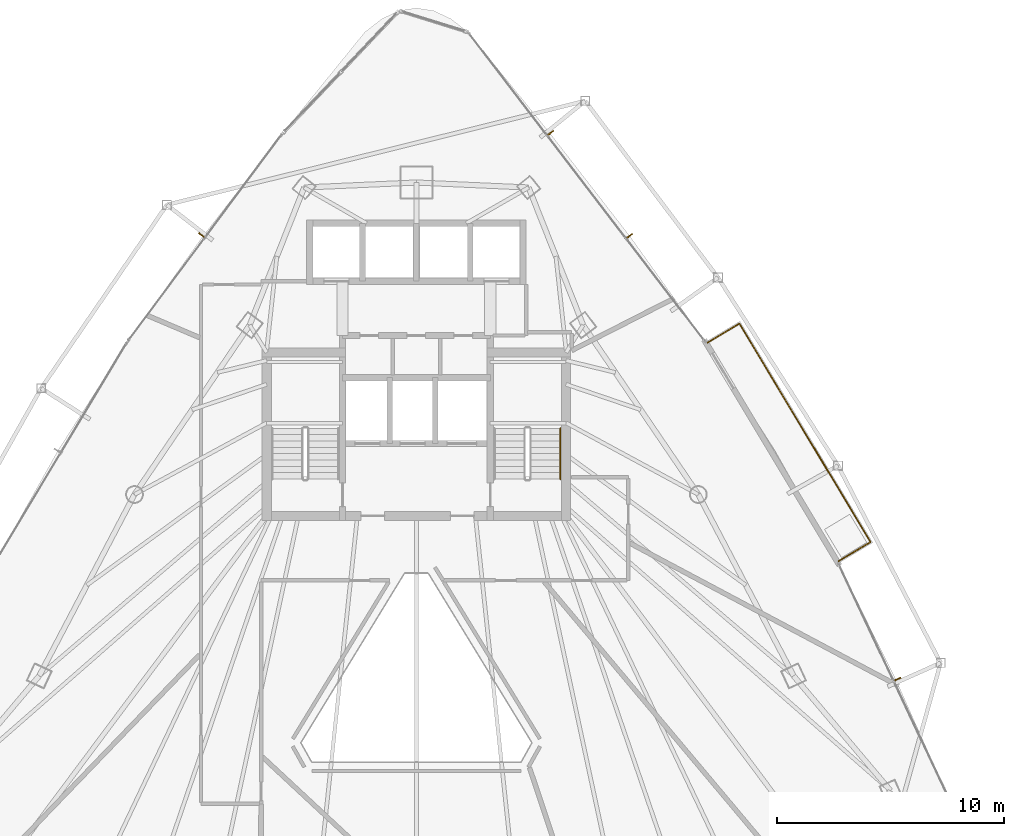
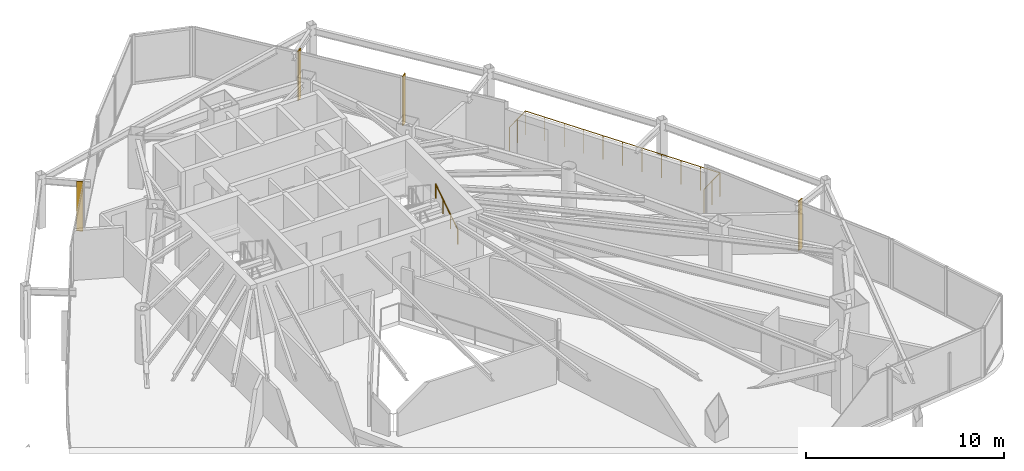
# One storey, part 31 of 31: 4 shading devices, 2 railings.
"""IFC4 building model written with IfcOpenShell, lengths in metres."""

from ifc_helpers import new_model, si_unit, direction, frame, origin, origin_2d, place, context, subcontext, project, spatial, rectangle, circle, extrude, material, layer, layer_set, type_object, element, save


model = new_model("IFC4")

# Units and contexts
model_context = context("Model", 3, precision=1e-05, world=origin(), true_north=direction((0.0, 1.0)))
body_context = subcontext(model_context, "Body", "Model", "MODEL_VIEW")
ifc_project = project(units=[si_unit("LENGTHUNIT", "METRE"), si_unit("AREAUNIT", "SQUARE_METRE"), si_unit("VOLUMEUNIT", "CUBIC_METRE"), si_unit("PLANEANGLEUNIT", "RADIAN"), si_unit("MASSUNIT", "GRAM", prefix="KILO")], contexts=[model_context])

# Site, building, storey
site_placement = place(None, origin())
site = spatial("IfcSite", under=ifc_project, at=site_placement, CompositionType="ELEMENT")
building_placement = place(site_placement, origin())
building = spatial("IfcBuilding", under=site, at=building_placement, Name="Orvanel Arch Residences", CompositionType="ELEMENT")
storey_placement = place(building_placement, frame((0.0, 0.0, 126.5)))
storey = spatial("IfcBuildingStorey", under=building, at=storey_placement, Name="L35", CompositionType="ELEMENT", Elevation=126.5)

# Shading devices
ifc_material_1 = material(Name="Bronze-anodised aluminium AA6063-T6", Category="aluminium")
ifc_layer = layer(ifc_material_1, 0.054931640625)
ifc_layer_set = layer_set([ifc_layer], Name="Bronze-anodised aluminium AA6063-T6")
shading_device_type = type_object("IfcShadingDeviceType", Name="FIN-BRZ-320", PredefinedType="USERDEFINED", material=ifc_layer_set)
for number, where, z_axis, x_axis, name in (
    (1, (23.52587890625, 39.077880859375, 0.0), (0.0, 0.0, 1.0), (-0.801775644244, 0.597625146976, 0.0), "L35 Anodised Bronze Mullion FIN 01"),
    (2, (54.219970703125, 19.498046875, 0.0), (0.0, 0.0, 1.0), (0.904827052466, 0.425779291565, 0.0), "L35 Anodised Bronze Mullion FIN 01"),
    (3, (42.40087890625, 39.0439453125, 0.0), (0.0, 0.0, 1.0), (0.793353340291, 0.608761429009, 0.0), "L35 Anodised Bronze Mullion FIN 01"),
    (4, (38.919921875, 43.5859375, 0.0), (0.0, 0.0, 1.0), (0.793353340291, 0.608761429009, 0.0), "L35 Anodised Bronze Mullion FIN 02"),
):
    element("IfcShadingDevice", number, at=place(storey_placement, frame(where, z_axis=z_axis, x_axis=x_axis)), inside=storey, type_object=shading_device_type, Name=name, ObjectType="FIN", PredefinedType="USERDEFINED", context=body_context, shape_type="SweptSolid", body=[
        extrude(rectangle(XDim=0.320068359375, YDim=0.054931640625, at=origin_2d()), origin(), (0.0, 0.0, 1.0), 3.06005859375),
    ])

# Railings
railing_type_1 = type_object("IfcRailingType", Name="RL-BAL-1480", PredefinedType="BALUSTRADE", material=ifc_material_1)
railing_1_placement = place(storey_placement, frame((51.618896484375, 24.697998046875, 0.0)))
element("IfcRailing", 5, at=railing_1_placement, inside=storey, type_object=railing_type_1, Name="L35 Balcony Perimeter Guardrail Face 3", PredefinedType="BALUSTRADE", context=body_context, shape_type="SweptSolid", body=[
    extrude(circle(Radius=0.02392578125, at=origin_2d()), frame((0.001220703125, 0.000732421875, 1.4560546875), z_axis=(0.857545439568, 0.514408222208, 0.0), x_axis=(-0.514408222208, 0.857545439568, 0.0)), (0.0, 0.0, 1.0), 1.6376953125),
    extrude(circle(Radius=0.02392578125, at=origin_2d()), frame((1.40625, 0.84521484375, 1.4560546875), z_axis=(-0.51440310195, 0.857548510992, 0.0), x_axis=(-0.857548510992, -0.51440310195, 0.0)), (0.0, 0.0, 1.0), 11.23486328125),
    extrude(circle(Radius=0.02392578125, at=origin_2d()), frame((-4.375, 10.480224609375, 1.4560546875), z_axis=(-0.857387817543, -0.514670895164, 0.0), x_axis=(0.514670895164, -0.857387817543, 0.0)), (0.0, 0.0, 1.0), 1.636962890625),
    extrude(circle(Radius=0.02099609375, at=origin_2d()), origin(), (0.0, 0.0, 1.0), 1.429931640625),
    extrude(circle(Radius=0.02099609375, at=origin_2d()), frame((0.70361328125, 0.421875, 0.0)), (0.0, 0.0, 1.0), 1.429931640625),
    extrude(circle(Radius=0.02099609375, at=origin_2d()), frame((1.406982421875, 0.843994140625, 0.0)), (0.0, 0.0, 1.0), 1.429931640625),
    extrude(circle(Radius=0.02099609375, at=origin_2d()), frame((0.828857421875, 1.8076171875, 0.0)), (0.0, 0.0, 1.0), 1.429931640625),
    extrude(circle(Radius=0.02099609375, at=origin_2d()), frame((0.250732421875, 2.771484375, 0.0)), (0.0, 0.0, 1.0), 1.429931640625),
    extrude(circle(Radius=0.02099609375, at=origin_2d()), frame((-0.3271484375, 3.735107421875, 0.0)), (0.0, 0.0, 1.0), 1.429931640625),
    extrude(circle(Radius=0.02099609375, at=origin_2d()), frame((-0.9052734375, 4.69873046875, 0.0)), (0.0, 0.0, 1.0), 1.429931640625),
    extrude(circle(Radius=0.02099609375, at=origin_2d()), frame((-1.4833984375, 5.66259765625, 0.0)), (0.0, 0.0, 1.0), 1.429931640625),
    extrude(circle(Radius=0.02099609375, at=origin_2d()), frame((-2.0615234375, 6.626220703125, 0.0)), (0.0, 0.0, 1.0), 1.429931640625),
    extrude(circle(Radius=0.02099609375, at=origin_2d()), frame((-2.6396484375, 7.58984375, 0.0)), (0.0, 0.0, 1.0), 1.429931640625),
    extrude(circle(Radius=0.02099609375, at=origin_2d()), frame((-3.217529296875, 8.553466796875, 0.0)), (0.0, 0.0, 1.0), 1.429931640625),
    extrude(circle(Radius=0.02099609375, at=origin_2d()), frame((-3.795654296875, 9.517333984375, 0.0)), (0.0, 0.0, 1.0), 1.429931640625),
    extrude(circle(Radius=0.02099609375, at=origin_2d()), frame((-4.373779296875, 10.48095703125, 0.0)), (0.0, 0.0, 1.0), 1.429931640625),
    extrude(circle(Radius=0.02099609375, at=origin_2d()), frame((-5.07666015625, 10.05908203125, 0.0)), (0.0, 0.0, 1.0), 1.429931640625),
    extrude(circle(Radius=0.02099609375, at=origin_2d()), frame((-5.77978515625, 9.636962890625, 0.0)), (0.0, 0.0, 1.0), 1.429931640625),
])
ifc_material_2 = material(Name="Structural steel AS/NZS 1163 C350L0 (Grade 350)", Category="steel")
railing_type_2 = type_object("IfcRailingType", Name="RL-STAIR-HAND", PredefinedType="HANDRAIL", material=ifc_material_2)
railing_2_placement = place(storey_placement, frame((39.35009765625, 28.320068359375, 0.183349609375)))
element("IfcRailing", 6, at=railing_2_placement, inside=storey, type_object=railing_type_2, Name="L35 ST-2 stair handrail 1", PredefinedType="HANDRAIL", context=body_context, shape_type="SweptSolid", body=[
    extrude(circle(Radius=0.02392578125, at=origin_2d()), frame((0.0, 0.001220703125, 0.876708984375), z_axis=(0.0, 0.836636935527, 0.547757827979), x_axis=(-1.0, 0.0, 0.0)), (0.0, 0.0, 1.0), 2.67431640625),
    extrude(circle(Radius=0.02099609375, at=origin_2d()), origin(), (0.0, 0.0, 1.0), 0.849853515625),
    extrude(circle(Radius=0.02099609375, at=origin_2d()), frame((0.0, 0.74658203125, 0.48876953125)), (0.0, 0.0, 1.0), 0.849853515625),
    extrude(circle(Radius=0.02099609375, at=origin_2d()), frame((0.0, 1.493408203125, 0.977783203125)), (0.0, 0.0, 1.0), 0.849853515625),
    extrude(circle(Radius=0.02099609375, at=origin_2d()), frame((0.0, 2.239990234375, 1.466552734375)), (0.0, 0.0, 1.0), 0.849853515625),
])

save(model, "model.ifc")
